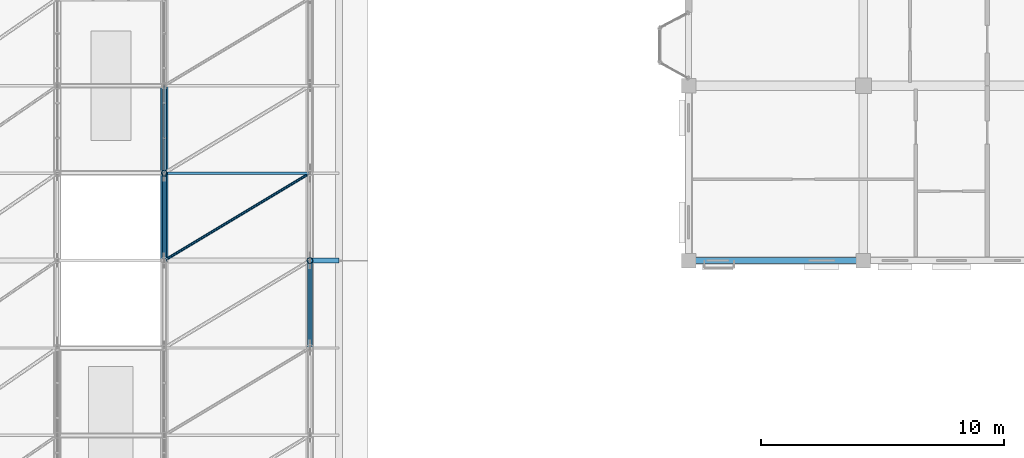
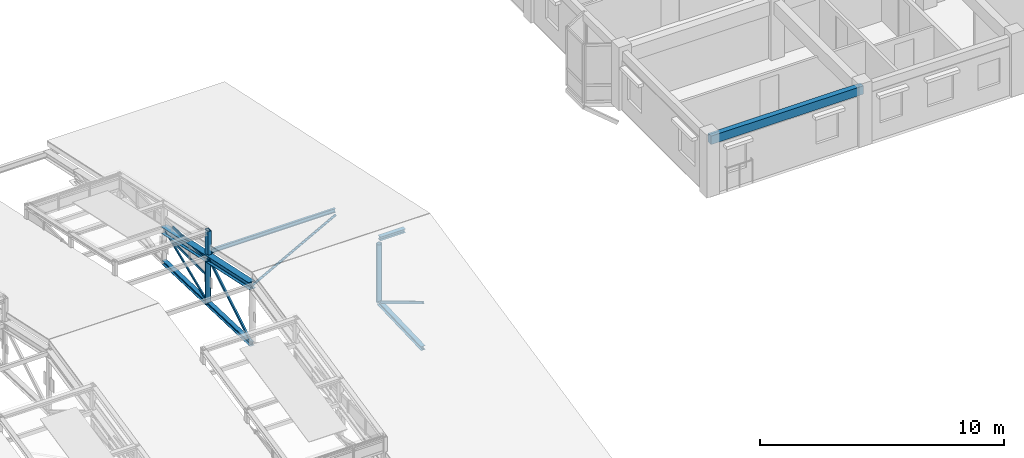
# One storey, part 44 of 124: 18 members, 1 beam, 1 element without a shape of its own.
"""IFC4 building model written with IfcOpenShell, lengths in metres."""

import ifcopenshell
import ifcopenshell.guid

model = None  # the IFC model being written
_history = None  # IfcOwnerHistory: only IFC2X3 demands one
_inside = {}  # id of a spatial element -> (the spatial element, [elements in it])
_under = {}  # id of a project, library or spatial element -> (it, [spatial elements below it])
_declared = {}  # id of a project -> (the project, [libraries it declares])
_typed = {}  # id of a type object -> (the type object, [elements of that type])
_made_of = {}  # id of a material, layer set ... -> (it, [elements and type objects made of it])


def new_model(schema):
    """Start an empty IFC model of exactly this schema.

    Asked for "IFC4X3", IfcOpenShell would pick the latest addendum, in which some entities
    have other attributes; the version numbers below select the first issue.
    IFC2X3 requires an IfcOwnerHistory on every rooted entity: one is made here for all.
    """
    global model, _history
    if schema == "IFC4X3":
        model = ifcopenshell.file(schema_version=(4, 3, 0, 0))
    else:
        model = ifcopenshell.file(schema=schema)
    _inside.clear()
    _under.clear()
    _declared.clear()
    _typed.clear()
    _made_of.clear()
    _history = None
    if model.schema == "IFC2X3":
        org = make("IfcOrganization", Name="unknown")
        user = make(
            "IfcPersonAndOrganization",
            ThePerson=make("IfcPerson", FamilyName="unknown"),
            TheOrganization=org,
        )
        app = make(
            "IfcApplication",
            ApplicationDeveloper=org,
            Version="unknown",
            ApplicationFullName="unknown",
            ApplicationIdentifier="unknown",
        )
        _history = make(
            "IfcOwnerHistory",
            OwningUser=user,
            OwningApplication=app,
            ChangeAction="ADDED",
            CreationDate=0,
        )
    return model


def make(cls, **values):
    """One entity of the class cls with the attributes given. An attribute that is None is left unset."""
    return model.create_entity(
        cls, **{name: value for name, value in values.items() if value is not None}
    )


def rooted(cls, **values):
    """An entity with a GlobalId (a new one), such as an element, a storey or a relation."""
    return make(cls, GlobalId=ifcopenshell.guid.new(), OwnerHistory=_history, **values)


def si_unit(unit_type, name, prefix=None):
    """IfcSIUnit, for example si_unit("LENGTHUNIT", "METRE", prefix="MILLI")."""
    return make("IfcSIUnit", UnitType=unit_type, Prefix=prefix, Name=name)


def assignment(units):
    """IfcUnitAssignment: the units of a project."""
    return None if units is None else make("IfcUnitAssignment", Units=units)


def point(xyz):
    """IfcCartesianPoint."""
    return None if xyz is None else make("IfcCartesianPoint", Coordinates=xyz)


def direction(xyz):
    """IfcDirection."""
    return None if xyz is None else make("IfcDirection", DirectionRatios=xyz)


def frame(location, z_axis=None, x_axis=None):
    """IfcAxis2Placement3D, a coordinate frame: its origin and axes. An axis left out is left unset."""
    return make(
        "IfcAxis2Placement3D",
        Location=point(location),
        Axis=direction(z_axis),
        RefDirection=direction(x_axis),
    )


def frame_2d(location, x_axis=None):
    """IfcAxis2Placement2D, a coordinate frame in the plane: its origin and x axis."""
    return make(
        "IfcAxis2Placement2D", Location=point(location), RefDirection=direction(x_axis)
    )


def origin():
    """The frame at (0, 0, 0) with its axes left unset."""
    return frame((0.0, 0.0, 0.0))


def origin_2d():
    """The frame at (0, 0) in the plane with its x axis left unset."""
    return frame_2d((0.0, 0.0))


def place(relative_to, where):
    """IfcLocalPlacement: puts the frame where relative to a parent placement (None: the world)."""
    return make(
        "IfcLocalPlacement", PlacementRelTo=relative_to, RelativePlacement=where
    )


def context(
    kind, dimensions, precision=None, world=None, true_north=None, identifier=None
):
    """IfcGeometricRepresentationContext, for example the 3D "Model" context."""
    return make(
        "IfcGeometricRepresentationContext",
        ContextIdentifier=identifier,
        ContextType=kind,
        CoordinateSpaceDimension=dimensions,
        Precision=precision,
        WorldCoordinateSystem=world,
        TrueNorth=true_north,
    )


def subcontext(parent, identifier, kind, view, scale=None):
    """IfcGeometricRepresentationSubContext, for example "Body" below "Model"."""
    return make(
        "IfcGeometricRepresentationSubContext",
        ContextIdentifier=identifier,
        ContextType=kind,
        ParentContext=parent,
        TargetScale=scale,
        TargetView=view,
    )


def project(units=None, contexts=None):
    """IfcProject with its units and contexts."""
    return rooted(
        "IfcProject",
        Name="project",
        RepresentationContexts=contexts,
        UnitsInContext=assignment(units),
    )


def spatial(cls, under=None, at=None, **own):
    """A site, building, storey or space (cls), placed at a placement, below another one or the project."""
    s = rooted(cls, ObjectPlacement=at, **own)
    if under is not None:
        _under.setdefault(under.id(), (under, []))[1].append(s)
    return s


def profile(cls, at=None, kind="AREA", **sizes):
    """A parametric profile (cls). Its sizes go by their IFC names, for example OverallWidth=200.0."""
    return make(cls, ProfileType=kind, Position=at, **sizes)


def rectangle(**sizes):
    """IfcRectangleProfileDef."""
    return profile("IfcRectangleProfileDef", **sizes)


def hollow_rectangle(**sizes):
    """IfcRectangleHollowProfileDef."""
    return profile("IfcRectangleHollowProfileDef", **sizes)


def hollow_circle(**sizes):
    """IfcCircleHollowProfileDef."""
    return profile("IfcCircleHollowProfileDef", **sizes)


def i_section(**sizes):
    """IfcIShapeProfileDef."""
    return profile("IfcIShapeProfileDef", **sizes)


def extrude(swept, where, along, depth):
    """IfcExtrudedAreaSolid: the profile swept, set in the frame where, extruded along a direction by depth."""
    return make(
        "IfcExtrudedAreaSolid",
        SweptArea=swept,
        Position=where,
        ExtrudedDirection=direction(along),
        Depth=depth,
    )


def shape(context_of_items, identifier, shape_type, items):
    """IfcShapeRepresentation: the items that make up one representation, for example the "Body"."""
    return make(
        "IfcShapeRepresentation",
        ContextOfItems=context_of_items,
        RepresentationIdentifier=identifier,
        RepresentationType=shape_type,
        Items=items,
    )


def material(Name=None, Category=None):
    """IfcMaterial."""
    return make("IfcMaterial", Name=Name, Category=Category)


def layer(
    of_material, thickness, ventilated=None, Name=None, Category=None, Priority=None
):
    """IfcMaterialLayer: one layer of a wall or slab, of a material (None: an air gap)."""
    return make(
        "IfcMaterialLayer",
        Material=of_material,
        LayerThickness=thickness,
        IsVentilated=ventilated,
        Name=Name,
        Category=Category,
        Priority=Priority,
    )


def layer_set(layers, Name=None):
    """IfcMaterialLayerSet."""
    return make("IfcMaterialLayerSet", MaterialLayers=layers, LayerSetName=Name)


def material_profile(
    of_material, cross_section, Name=None, Category=None, Priority=None
):
    """IfcMaterialProfile: a cross section and its material."""
    return make(
        "IfcMaterialProfile",
        Name=Name,
        Material=of_material,
        Profile=cross_section,
        Priority=Priority,
        Category=Category,
    )


def profile_set(profiles, Name=None, composite=None):
    """IfcMaterialProfileSet."""
    return make(
        "IfcMaterialProfileSet",
        Name=Name,
        MaterialProfiles=profiles,
        CompositeProfile=composite,
    )


def made_of(thing, what):
    """Note that an element or type object is made of a material, layer set ...; save() writes the relation."""
    if what is not None:
        _made_of.setdefault(what.id(), (what, []))[1].append(thing)
    return thing


def type_object(cls, material=None, **own):
    """A type object (cls), such as IfcWallType, which elements share."""
    return made_of(rooted(cls, **own), material)


def element(
    cls,
    number,
    at=None,
    inside=None,
    cuts=None,
    type_object=None,
    material=None,
    context=None,
    identifier="Body",
    shape_type=None,
    held_by="IfcProductDefinitionShape",
    body=None,
    shapes=None,
    **own,
):
    """One element of the class cls, such as IfcWall. Its Tag is "e" and its number.

    at: its placement. inside: the storey or other place that contains it. cuts: it is an
    opening in that element (IfcRelVoidsElement). A single representation is given by context,
    identifier, shape_type and body (its items); several are given by shapes. held_by: the class
    of the entity that holds the representations. save() writes the other relations.
    """
    e = rooted(cls, Tag="e%d" % number, ObjectPlacement=at, **own)
    if body is not None:
        shapes = [shape(context, identifier, shape_type, body)]
    if shapes is not None:
        e.Representation = make(held_by, Representations=shapes)
    if inside is not None:
        _inside.setdefault(inside.id(), (inside, []))[1].append(e)
    if cuts is not None:
        rooted(
            "IfcRelVoidsElement", RelatingBuildingElement=cuts, RelatedOpeningElement=e
        )
    if type_object is not None:
        _typed.setdefault(type_object.id(), (type_object, []))[1].append(e)
    return made_of(e, material)


def aggregate(whole, parts):
    """IfcRelAggregates: a whole, such as a stair, and the parts it consists of."""
    return rooted("IfcRelAggregates", RelatingObject=whole, RelatedObjects=parts)


def save(model, path):
    """Write the relations noted so far, then the file.

    IfcRelAggregates (storeys below a building ...), IfcRelContainedInSpatialStructure (elements
    in a storey), IfcRelDefinesByType, IfcRelAssociatesMaterial and IfcRelDeclares: one each for
    every whole, place, type object, material and project.
    """
    for whole, parts in _under.values():
        aggregate(whole, parts)
    for where, things in _inside.values():
        rooted(
            "IfcRelContainedInSpatialStructure",
            RelatedElements=things,
            RelatingStructure=where,
        )
    for kind, things in _typed.values():
        rooted("IfcRelDefinesByType", RelatedObjects=things, RelatingType=kind)
    for what, things in _made_of.values():
        rooted("IfcRelAssociatesMaterial", RelatedObjects=things, RelatingMaterial=what)
    for by, libraries in _declared.values():
        rooted("IfcRelDeclares", RelatingContext=by, RelatedDefinitions=libraries)
    model.write(path)


model = new_model("IFC4")

# Units and contexts
model_context = context("Model", 3, precision=1e-05, world=origin(), true_north=direction((0.0, 1.0)))
body_context = subcontext(model_context, "Body", "Model", "MODEL_VIEW")
ifc_project = project(units=[si_unit("LENGTHUNIT", "METRE"), si_unit("AREAUNIT", "SQUARE_METRE"), si_unit("VOLUMEUNIT", "CUBIC_METRE"), si_unit("PLANEANGLEUNIT", "RADIAN"), si_unit("MASSUNIT", "GRAM", prefix="KILO"), si_unit("THERMODYNAMICTEMPERATUREUNIT", "KELVIN"), si_unit("POWERUNIT", "WATT")], contexts=[model_context])

# Site, building, storey
site_placement = place(None, origin())
site = spatial("IfcSite", under=ifc_project, at=site_placement, CompositionType="ELEMENT")
building_placement = place(site_placement, origin())
building = spatial("IfcBuilding", under=site, at=building_placement, Name="Tavuni Mirador Residences", CompositionType="ELEMENT")
storey_placement = place(building_placement, frame((0.0, 0.0, 7.64990234375)))
storey = spatial("IfcBuildingStorey", under=building, at=storey_placement, Name="L02", CompositionType="ELEMENT", Elevation=7.64990234375)

# Beam
ifc_material_1 = material(Name="Precast concrete C40/50", Category="concrete")
ifc_material_profile_1 = material_profile(ifc_material_1, rectangle(XDim=0.25, YDim=0.419921875, at=origin_2d()), Name="PC 250x420", Category="concrete")
ifc_profile_set_1 = profile_set([ifc_material_profile_1], Name="Precast concrete C40/50")
beam_type = type_object("IfcBeamType", Name="BT-SP420", PredefinedType="SPANDREL", material=ifc_profile_set_1)
beam_placement = place(storey_placement, frame((90.0, 86.39990234375, 2.68017578125), z_axis=(1.0, 0.0, 0.0), x_axis=(0.0, 1.0, 0.0)))
element("IfcBeam", 1, at=beam_placement, inside=storey, type_object=beam_type, Name="BMX-BLK-D-L02-00-00", PredefinedType="SPANDREL", context=body_context, shape_type="SweptSolid", body=[
    extrude(rectangle(XDim=0.25, YDim=0.419921875, at=origin_2d()), origin(), (0.0, 0.0, 1.0), 7.199951171875),
])

# Curtain wall, members
ifc_material_2 = material(Name="Anodised aluminium", Category="aluminium")
ifc_layer = layer(ifc_material_2, 0.199951171875, Name="Anodised aluminium", Category="aluminium")
ifc_layer_set = layer_set([ifc_layer], Name="Anodised aluminium")
curtain_wall_type = type_object("IfcCurtainWallType", Name="CWT-HAL-01", PredefinedType="NOTDEFINED", material=ifc_layer_set)
curtain_wall_placement = place(storey_placement, origin())
curtain_wall = element("IfcCurtainWall", 2, at=curtain_wall_placement, inside=storey, type_object=curtain_wall_type, Name="CW-HALL-MON-N3-E", PredefinedType="NOTDEFINED")
ifc_material_profile_2 = material_profile(ifc_material_2, hollow_rectangle(XDim=0.06005859375, YDim=0.110107421875, WallThickness=0.00390625, at=origin_2d()), Name="ALU 60x110x4.0", Category="aluminium")
ifc_profile_set_2 = profile_set([ifc_material_profile_2], Name="Anodised aluminium")
member_type_1 = type_object("IfcMemberType", Name="CWT-110", PredefinedType="USERDEFINED", material=ifc_profile_set_2)
member_1_placement = place(storey_placement, frame((68.39990234375, 90.06005859375, 1.205078125), z_axis=(0.0, 1.0, 0.0), x_axis=(-1.0, 0.0, 0.0)))
member_1 = element("IfcMember", 3, at=member_1_placement, type_object=member_type_1, Name="CW-06 transom 1.1", ObjectType="TRANSOM", PredefinedType="USERDEFINED", context=body_context, shape_type="SweptSolid", body=[
    extrude(hollow_rectangle(XDim=0.06005859375, YDim=0.110107421875, WallThickness=0.00390625, at=origin_2d()), origin(), (0.0, 0.0, 1.0), 1.349853515625),
])
member_2_placement = place(storey_placement, frame((68.39990234375, 90.06005859375, 1.93505859375), z_axis=(0.0, 1.0, 0.0), x_axis=(-1.0, 0.0, 0.0)))
member_2 = element("IfcMember", 4, at=member_2_placement, type_object=member_type_1, Name="CW-06 transom 1.2", ObjectType="TRANSOM", PredefinedType="USERDEFINED", context=body_context, shape_type="SweptSolid", body=[
    extrude(hollow_rectangle(XDim=0.06005859375, YDim=0.110107421875, WallThickness=0.00390625, at=origin_2d()), origin(), (0.0, 0.0, 1.0), 1.349853515625),
])
member_3_placement = place(storey_placement, frame((68.39990234375, 91.469970703125, 1.205078125), z_axis=(0.0, 1.0, 0.0), x_axis=(-1.0, 0.0, 0.0)))
member_3 = element("IfcMember", 5, at=member_3_placement, type_object=member_type_1, Name="CW-06 transom 2.1", ObjectType="TRANSOM", PredefinedType="USERDEFINED", context=body_context, shape_type="SweptSolid", body=[
    extrude(hollow_rectangle(XDim=0.06005859375, YDim=0.110107421875, WallThickness=0.00390625, at=origin_2d()), origin(), (0.0, 0.0, 1.0), 1.380126953125),
])
member_4_placement = place(storey_placement, frame((68.39990234375, 91.469970703125, 1.93505859375), z_axis=(0.0, 1.0, 0.0), x_axis=(-1.0, 0.0, 0.0)))
member_4 = element("IfcMember", 6, at=member_4_placement, type_object=member_type_1, Name="CW-06 transom 2.2", ObjectType="TRANSOM", PredefinedType="USERDEFINED", context=body_context, shape_type="SweptSolid", body=[
    extrude(hollow_rectangle(XDim=0.06005859375, YDim=0.110107421875, WallThickness=0.00390625, at=origin_2d()), origin(), (0.0, 0.0, 1.0), 1.380126953125),
])
aggregate(curtain_wall, [member_1, member_2, member_3, member_4])

# Members
ifc_material_3 = material(Name="Structural steel S355", Category="steel")
ifc_material_profile_3 = material_profile(ifc_material_3, hollow_circle(Radius=0.05712890625, WallThickness=0.00634765625, at=origin_2d()), Name="CHS 114.3x6.3", Category="steel")
ifc_profile_set_3 = profile_set([ifc_material_profile_3], Name="Structural steel S355")
member_type_2 = type_object("IfcMemberType", Name="MT-BR-CHS114", PredefinedType="BRACE", material=ifc_profile_set_3)
member_5_placement = place(storey_placement, frame((68.39990234375, 86.39990234375, 2.93017578125), z_axis=(0.85227311241, 0.511377739079, -0.110106084469), x_axis=(-0.514506017516, 0.857486768376, 0.0)))
element("IfcMember", 7, at=member_5_placement, inside=storey, type_object=member_type_2, Name="HALL-RB-4-05", PredefinedType="BRACE", context=body_context, shape_type="SweptSolid", body=[
    extrude(hollow_circle(Radius=0.05712890625, WallThickness=0.00634765625, at=origin_2d()), origin(), (0.0, 0.0, 1.0), 7.0400390625),
])
ifc_material_profile_4 = material_profile(ifc_material_3, hollow_rectangle(XDim=0.06005859375, YDim=0.10009765625, WallThickness=0.0048828125, at=origin_2d()), Name="RHS 100x60x5.0", Category="steel")
ifc_profile_set_4 = profile_set([ifc_material_profile_4], Name="Structural steel S355")
member_type_3 = type_object("IfcMemberType", Name="MT-BR-RHS100", PredefinedType="BRACE", material=ifc_profile_set_4)
member_6_placement = place(storey_placement, frame((68.39990234375, 90.0, -0.125), z_axis=(0.0, 0.922613480979, 0.385725763613), x_axis=(-1.0, 0.0, 0.0)))
element("IfcMember", 8, at=member_6_placement, inside=storey, type_object=member_type_3, Name="Roof truss TR-7 web diagonal 6", PredefinedType="BRACE", context=body_context, shape_type="SweptSolid", body=[
    extrude(hollow_rectangle(XDim=0.06005859375, YDim=0.10009765625, WallThickness=0.0048828125, at=origin_2d()), origin(), (0.0, 0.0, 1.0), 3.902099609375),
])
ifc_material_profile_5 = material_profile(ifc_material_3, hollow_rectangle(XDim=0.080078125, YDim=0.1201171875, WallThickness=0.00634765625, at=origin_2d()), Name="RHS 120x80x6.3", Category="steel")
ifc_profile_set_5 = profile_set([ifc_material_profile_5], Name="Structural steel S355")
member_type_4 = type_object("IfcMemberType", Name="MT-BR-RHS120", PredefinedType="BRACE", material=ifc_profile_set_5)
member_7_placement = place(storey_placement, frame((68.39990234375, 86.39990234375, 0.0), z_axis=(0.0, 0.858021287319, 0.513614126079), x_axis=(-1.0, 0.0, 0.0)))
element("IfcMember", 9, at=member_7_placement, inside=storey, type_object=member_type_4, Name="Roof truss TR-7 web diagonal 5", PredefinedType="BRACE", context=body_context, shape_type="SweptSolid", body=[
    extrude(hollow_rectangle(XDim=0.080078125, YDim=0.1201171875, WallThickness=0.00634765625, at=origin_2d()), origin(), (0.0, 0.0, 1.0), 4.19580078125),
])
member_8_placement = place(storey_placement, frame((74.39990234375, 82.800048828125, 2.155029296875), z_axis=(0.0, 0.858005936545, -0.513639769541), x_axis=(-1.0, 0.0, 0.0)))
element("IfcMember", 10, at=member_8_placement, inside=storey, type_object=member_type_4, Name="Roof truss TR-8 web diagonal 4", PredefinedType="BRACE", context=body_context, shape_type="SweptSolid", body=[
    extrude(hollow_rectangle(XDim=0.080078125, YDim=0.1201171875, WallThickness=0.00634765625, at=origin_2d()), origin(), (0.0, 0.0, 1.0), 4.195556640625),
])
ifc_material_profile_6 = material_profile(ifc_material_3, i_section(OverallWidth=0.300048828125, OverallDepth=0.330078125, WebThickness=0.009521484375, FlangeThickness=0.0166015625, FilletRadius=0.027099609375, at=origin_2d()), Name="HEA 340", Category="steel")
ifc_profile_set_6 = profile_set([ifc_material_profile_6], Name="Structural steel S355")
member_type_5 = type_object("IfcMemberType", Name="MT-CH-HEA340", PredefinedType="CHORD", material=ifc_profile_set_6)
for number, where, z_axis, x_axis, name in (
    (11, (68.39990234375, 86.39990234375, 2.93017578125), (0.0, 0.977596264641, -0.210488820035), (-1.0, 0.0, 0.0), "Roof truss TR-7 top chord 5"),
    (12, (68.39990234375, 90.0, 2.155029296875), (0.0, 0.977609904647, -0.210425460284), (-1.0, 0.0, 0.0), "Roof truss TR-7 top chord 6"),
):
    element("IfcMember", number, at=place(storey_placement, frame(where, z_axis=z_axis, x_axis=x_axis)), inside=storey, type_object=member_type_5, Name=name, PredefinedType="CHORD", context=body_context, shape_type="SweptSolid", body=[
        extrude(i_section(OverallWidth=0.300048828125, OverallDepth=0.330078125, WebThickness=0.009521484375, FlangeThickness=0.0166015625, FilletRadius=0.027099609375, at=origin_2d()), origin(), (0.0, 0.0, 1.0), 3.6826171875),
    ])
ifc_material_profile_7 = material_profile(ifc_material_3, i_section(OverallWidth=0.199951171875, OverallDepth=0.199951171875, WebThickness=0.009033203125, FlangeThickness=0.014892578125, FilletRadius=0.01806640625, at=origin_2d()), Name="HEB 200", Category="steel")
ifc_profile_set_7 = profile_set([ifc_material_profile_7], Name="Structural steel S355")
member_type_6 = type_object("IfcMemberType", Name="MT-CH-HEB200", PredefinedType="CHORD", material=ifc_profile_set_7)
for number, where, z_axis, x_axis, name in (
    (13, (68.39990234375, 86.39990234375, 0.0), (0.0, 0.999397760821, -0.034700369832), (-1.0, 0.0, 0.0), "Roof truss TR-7 bottom chord 5"),
    (14, (68.39990234375, 90.0, -0.125), (0.0, 0.999397760821, -0.034700369832), (-1.0, 0.0, 0.0), "Roof truss TR-7 bottom chord 6"),
):
    element("IfcMember", number, at=place(storey_placement, frame(where, z_axis=z_axis, x_axis=x_axis)), inside=storey, type_object=member_type_6, Name=name, PredefinedType="CHORD", context=body_context, shape_type="SweptSolid", body=[
        extrude(i_section(OverallWidth=0.199951171875, OverallDepth=0.199951171875, WebThickness=0.009033203125, FlangeThickness=0.014892578125, FilletRadius=0.01806640625, at=origin_2d()), origin(), (0.0, 0.0, 1.0), 3.602294921875),
    ])
member_9_placement = place(storey_placement, frame((74.39990234375, 82.800048828125, -0.125), z_axis=(0.0, 0.999397679205, 0.034702720363), x_axis=(-1.0, 0.0, 0.0)))
element("IfcMember", 15, at=member_9_placement, inside=storey, type_object=member_type_6, Name="Roof truss TR-8 bottom chord 4", PredefinedType="CHORD", context=body_context, shape_type="SweptSolid", body=[
    extrude(i_section(OverallWidth=0.199951171875, OverallDepth=0.199951171875, WebThickness=0.009033203125, FlangeThickness=0.014892578125, FilletRadius=0.01806640625, at=origin_2d()), origin(), (0.0, 0.0, 1.0), 3.60205078125),
])
ifc_material_profile_8 = material_profile(ifc_material_3, i_section(OverallWidth=0.199951171875, OverallDepth=0.18994140625, WebThickness=0.006591796875, FlangeThickness=0.010009765625, FilletRadius=0.01806640625, at=origin_2d()), Name="HEA 200", Category="steel")
ifc_profile_set_8 = profile_set([ifc_material_profile_8], Name="Structural steel S355")
member_type_7 = type_object("IfcMemberType", Name="MT-PR-HEA200", PredefinedType="PURLIN", material=ifc_profile_set_8)
member_10_placement = place(storey_placement, frame((74.39990234375, 86.39990234375, 3.195068359375), z_axis=(1.0, 0.0, 0.0), x_axis=(0.0, 1.0, 0.0)))
element("IfcMember", 16, at=member_10_placement, inside=storey, type_object=member_type_7, Name="HALL-PUR-03-S4-2", PredefinedType="PURLIN", context=body_context, shape_type="SweptSolid", body=[
    extrude(i_section(OverallWidth=0.199951171875, OverallDepth=0.18994140625, WebThickness=0.006591796875, FlangeThickness=0.010009765625, FilletRadius=0.01806640625, at=origin_2d()), origin(), (0.0, 0.0, 1.0), 1.2001953125),
])
ifc_material_profile_9 = material_profile(ifc_material_3, i_section(OverallWidth=0.10009765625, OverallDepth=0.199951171875, WebThickness=0.005615234375, FlangeThickness=0.008544921875, FilletRadius=0.011962890625, at=origin_2d()), Name="IPE 200", Category="steel")
ifc_profile_set_9 = profile_set([ifc_material_profile_9], Name="Structural steel S355")
member_type_8 = type_object("IfcMemberType", Name="MT-PR-IPE200", PredefinedType="PURLIN", material=ifc_profile_set_9)
member_11_placement = place(storey_placement, frame((68.39990234375, 90.0, 2.420166015625), z_axis=(1.0, 0.0, 0.0), x_axis=(0.0, 1.0, 0.0)))
element("IfcMember", 17, at=member_11_placement, inside=storey, type_object=member_type_8, Name="HALL-PUR-04-S4-1", PredefinedType="PURLIN", context=body_context, shape_type="SweptSolid", body=[
    extrude(i_section(OverallWidth=0.10009765625, OverallDepth=0.199951171875, WebThickness=0.005615234375, FlangeThickness=0.008544921875, FilletRadius=0.011962890625, at=origin_2d()), origin(), (0.0, 0.0, 1.0), 6.0),
])
ifc_material_profile_10 = material_profile(ifc_material_3, hollow_circle(Radius=0.122314453125, WallThickness=0.012451171875, at=origin_2d()), Name="CHS 244.5x12.5", Category="steel")
ifc_profile_set_10 = profile_set([ifc_material_profile_10], Name="Structural steel S355")
member_type_9 = type_object("IfcMemberType", Name="MT-ST-CHS244", PredefinedType="STRUT", material=ifc_profile_set_10)
member_12_placement = place(storey_placement, frame((68.39990234375, 90.0, -0.125), z_axis=(0.0, 0.0, 1.0), x_axis=(1.0, 0.0, 0.0)))
element("IfcMember", 18, at=member_12_placement, inside=storey, type_object=member_type_9, Name="Roof truss TR-7 vertical 6", PredefinedType="STRUT", context=body_context, shape_type="SweptSolid", body=[
    extrude(hollow_circle(Radius=0.122314453125, WallThickness=0.012451171875, at=origin_2d()), origin(), (0.0, 0.0, 1.0), 2.280029296875),
])
member_13_placement = place(storey_placement, frame((74.39990234375, 86.39990234375, 0.0), z_axis=(0.0, 0.0, 1.0), x_axis=(1.0, 0.0, 0.0)))
element("IfcMember", 19, at=member_13_placement, inside=storey, type_object=member_type_9, Name="Roof truss TR-8 vertical 5", PredefinedType="STRUT", context=body_context, shape_type="SweptSolid", body=[
    extrude(hollow_circle(Radius=0.122314453125, WallThickness=0.012451171875, at=origin_2d()), origin(), (0.0, 0.0, 1.0), 2.93017578125),
])
ifc_material_profile_11 = material_profile(ifc_material_3, hollow_rectangle(XDim=0.14990234375, YDim=0.25, WallThickness=0.010009765625, at=origin_2d()), Name="RHS 250x150x10.0", Category="steel")
ifc_profile_set_11 = profile_set([ifc_material_profile_11], Name="Structural steel S355")
member_type_10 = type_object("IfcMemberType", Name="MT-ST-RHS250", PredefinedType="STRUT", material=ifc_profile_set_11)
member_14_placement = place(storey_placement, frame((68.39990234375, 90.0, 2.03515625), z_axis=(0.0, 0.0, 1.0), x_axis=(1.0, 0.0, 0.0)))
element("IfcMember", 20, at=member_14_placement, inside=storey, type_object=member_type_10, Name="HALL-MPST-3-N-E1", PredefinedType="STRUT", context=body_context, shape_type="SweptSolid", body=[
    extrude(hollow_rectangle(XDim=0.14990234375, YDim=0.25, WallThickness=0.010009765625, at=origin_2d()), origin(), (0.0, 0.0, 1.0), 1.489990234375),
])

save(model, "model.ifc")
